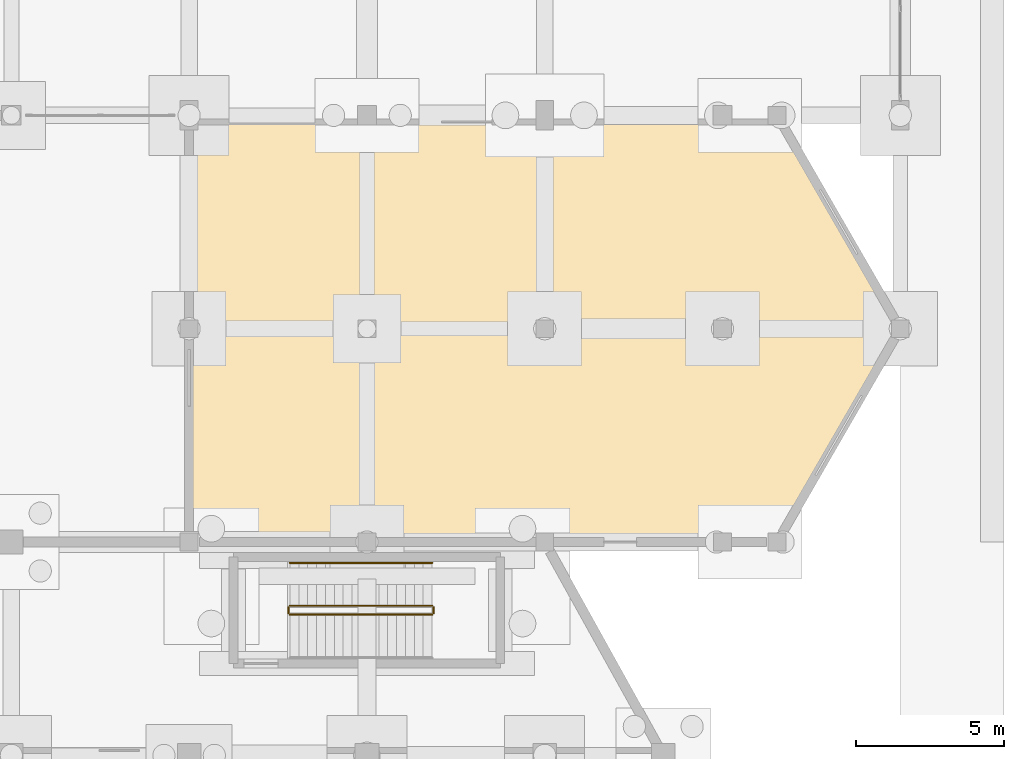
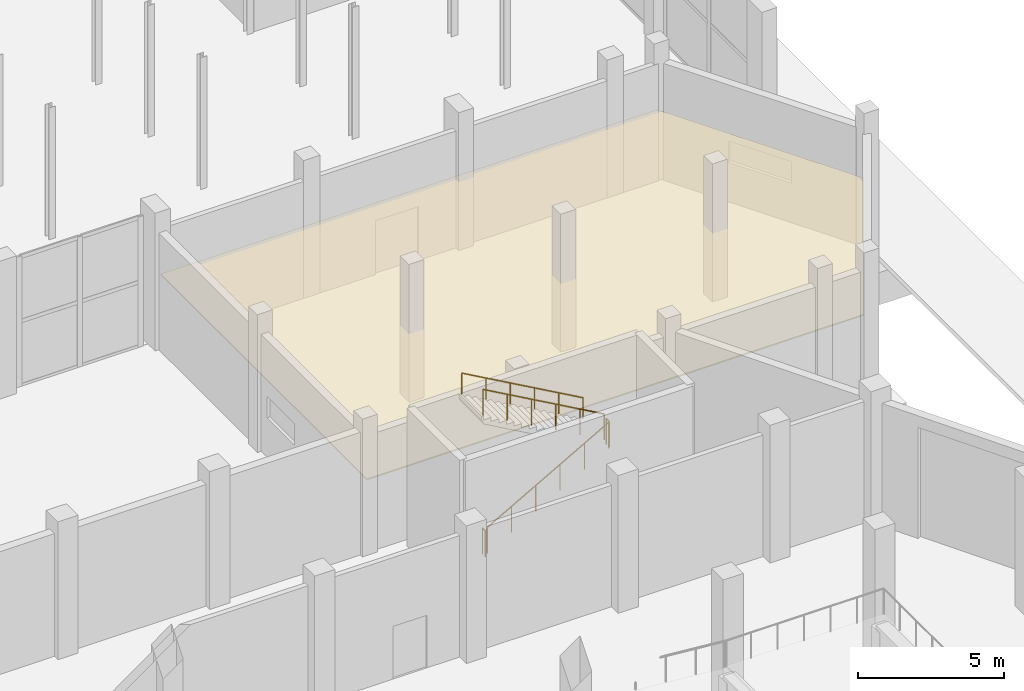
# One storey, part 100 of 103: 5 railings, 1 covering.
"""IFC4 building model written with IfcOpenShell, lengths in metres."""

from ifc_helpers import new_model, si_unit, direction, frame, origin, origin_2d, place, context, subcontext, project, spatial, polyline, circle, outline, extrude, material, layer, layer_set, type_object, element, save


model = new_model("IFC4")

# Units and contexts
model_context = context("Model", 3, precision=1e-05, world=origin(), true_north=direction((0.0, 1.0)))
body_context = subcontext(model_context, "Body", "Model", "MODEL_VIEW")
ifc_project = project(units=[si_unit("LENGTHUNIT", "METRE"), si_unit("AREAUNIT", "SQUARE_METRE"), si_unit("VOLUMEUNIT", "CUBIC_METRE"), si_unit("PLANEANGLEUNIT", "RADIAN"), si_unit("MASSUNIT", "GRAM", prefix="KILO")], contexts=[model_context])

# Site, building, storey
site_placement = place(None, origin())
site = spatial("IfcSite", under=ifc_project, at=site_placement, CompositionType="ELEMENT")
building_placement = place(site_placement, origin())
building = spatial("IfcBuilding", under=site, at=building_placement, Name="Dunvalen Ferry Terminal", CompositionType="ELEMENT")
storey_placement = place(building_placement, origin())
storey = spatial("IfcBuildingStorey", under=building, at=storey_placement, Name="L00", CompositionType="ELEMENT", Elevation=0.0)

# Covering
ifc_material_1 = material(Name="Moisture-resistant mineral-fibre acoustic ceiling", Category="gypsum")
ifc_layer = layer(ifc_material_1, 0.050048828125, Name="Moisture-resistant mineral-fibre acoustic ceiling")
ifc_layer_set = layer_set([ifc_layer], Name="Moisture-resistant mineral-fibre acoustic ceiling")
covering_type = type_object("IfcCoveringType", Name="INT-COV-CLG02", PredefinedType="CEILING", material=ifc_layer_set)
covering_placement = place(storey_placement, frame((0.0, 0.0, 2.800048828125)))
element("IfcCovering", 1, at=covering_placement, inside=storey, type_object=covering_type, Name="L00 Customs Green and Red Inspection Hall Acoustic Suspended Ceiling", PredefinedType="CEILING", context=body_context, shape_type="SweptSolid", body=[
    extrude(outline(polyline([(144.1298828125, 43.330078125), (163.76806640625, 43.330078125), (167.849853515625, 50.39990234375), (163.76806640625, 57.469970703125), (144.1298828125, 57.469970703125), (144.1298828125, 43.330078125)])), origin(), (0.0, 0.0, 1.0), 0.050048828125),
])

# Railings
ifc_material_2 = material(Name="Painted galvanised steel S275", Category="steel")
railing_type_1 = type_object("IfcRailingType", Name="INT-RL-STGRD", PredefinedType="GUARDRAIL", material=ifc_material_2)
railing_1_placement = place(storey_placement, frame((147.39990234375, 40.75, 0.16943359375)))
element("IfcRailing", 2, at=railing_1_placement, inside=storey, type_object=railing_type_1, Name="L00 ST6 stair guard 1", PredefinedType="GUARDRAIL", context=body_context, shape_type="SweptSolid", body=[
    extrude(circle(Radius=0.02392578125, at=origin_2d()), frame((0.0, 0.0, 1.076171875), z_axis=(0.870766506294, 0.0, 0.491696747514), x_axis=(0.0, 1.0, 0.0)), (0.0, 0.0, 1.0), 5.512451171875),
    extrude(circle(Radius=0.02099609375, at=origin_2d()), origin(), (0.0, 0.0, 1.0), 1.052001953125),
    extrude(circle(Radius=0.02099609375, at=origin_2d()), frame((0.9599609375, 0.0, 0.5419921875)), (0.0, 0.0, 1.0), 1.052001953125),
    extrude(circle(Radius=0.02099609375, at=origin_2d()), frame((1.919921875, 0.0, 1.084228515625)), (0.0, 0.0, 1.0), 1.052001953125),
    extrude(circle(Radius=0.02099609375, at=origin_2d()), frame((2.880126953125, 0.0, 1.626220703125)), (0.0, 0.0, 1.0), 1.052001953125),
    extrude(circle(Radius=0.02099609375, at=origin_2d()), frame((3.840087890625, 0.0, 2.16845703125)), (0.0, 0.0, 1.0), 1.052001953125),
    extrude(circle(Radius=0.02099609375, at=origin_2d()), frame((4.800048828125, 0.0, 2.71044921875)), (0.0, 0.0, 1.0), 1.052001953125),
])
railing_2_placement = place(storey_placement, frame((152.25, 40.800048828125, 2.8798828125)))
element("IfcRailing", 3, at=railing_2_placement, inside=storey, type_object=railing_type_1, Name="L00 ST6 stair guard 2", PredefinedType="GUARDRAIL", context=body_context, shape_type="SweptSolid", body=[
    extrude(circle(Radius=0.02392578125, at=origin_2d()), frame((0.0, 0.0, 1.076171875), z_axis=(0.0, 1.0, 0.0), x_axis=(-1.0, 0.0, 0.0)), (0.0, 0.0, 1.0), 0.199951171875),
    extrude(circle(Radius=0.02099609375, at=origin_2d()), origin(), (0.0, 0.0, 1.0), 1.052001953125),
    extrude(circle(Radius=0.02099609375, at=origin_2d()), frame((0.0, 0.199951171875, 0.0)), (0.0, 0.0, 1.0), 1.052001953125),
])
railing_3_placement = place(storey_placement, frame((152.199951171875, 41.050048828125, 3.04931640625)))
element("IfcRailing", 4, at=railing_3_placement, inside=storey, type_object=railing_type_1, Name="L00 ST6 stair guard 3", PredefinedType="GUARDRAIL", context=body_context, shape_type="SweptSolid", body=[
    extrude(circle(Radius=0.02392578125, at=origin_2d()), frame((0.0, 0.0, 1.076171875), z_axis=(-0.870747543578, 0.0, 0.491730327875), x_axis=(0.0, -1.0, 0.0)), (0.0, 0.0, 1.0), 5.512451171875),
    extrude(circle(Radius=0.02099609375, at=origin_2d()), origin(), (0.0, 0.0, 1.0), 1.052001953125),
    extrude(circle(Radius=0.02099609375, at=origin_2d()), frame((-0.9599609375, 0.0, 0.542236328125)), (0.0, 0.0, 1.0), 1.052001953125),
    extrude(circle(Radius=0.02099609375, at=origin_2d()), frame((-1.919921875, 0.0, 1.084228515625)), (0.0, 0.0, 1.0), 1.052001953125),
    extrude(circle(Radius=0.02099609375, at=origin_2d()), frame((-2.880126953125, 0.0, 1.62646484375)), (0.0, 0.0, 1.0), 1.052001953125),
    extrude(circle(Radius=0.02099609375, at=origin_2d()), frame((-3.840087890625, 0.0, 2.16845703125)), (0.0, 0.0, 1.0), 1.052001953125),
    extrude(circle(Radius=0.02099609375, at=origin_2d()), frame((-4.800048828125, 0.0, 2.710693359375)), (0.0, 0.0, 1.0), 1.052001953125),
])
railing_4_placement = place(storey_placement, frame((147.35009765625, 40.800048828125, 0.0)))
element("IfcRailing", 5, at=railing_4_placement, inside=storey, type_object=railing_type_1, Name="L00 ST6 stair guard 4", PredefinedType="GUARDRAIL", context=body_context, shape_type="SweptSolid", body=[
    extrude(circle(Radius=0.02392578125, at=origin_2d()), frame((0.0, 0.0, 1.076171875), z_axis=(0.0, 1.0, 0.0), x_axis=(-1.0, 0.0, 0.0)), (0.0, 0.0, 1.0), 0.199951171875),
    extrude(circle(Radius=0.02099609375, at=origin_2d()), origin(), (0.0, 0.0, 1.0), 1.052001953125),
    extrude(circle(Radius=0.02099609375, at=origin_2d()), frame((0.0, 0.199951171875, 0.0)), (0.0, 0.0, 1.0), 1.052001953125),
])
ifc_material_3 = material(Name="Brushed 316 stainless steel", Category="steel")
railing_type_2 = type_object("IfcRailingType", Name="INT-RL-STHND", PredefinedType="HANDRAIL", material=ifc_material_3)
railing_5_placement = place(storey_placement, frame((152.199951171875, 42.5, 3.04931640625)))
element("IfcRailing", 6, at=railing_5_placement, inside=storey, type_object=railing_type_2, Name="L00 ST6 stair handrail 2", PredefinedType="HANDRAIL", context=body_context, shape_type="SweptSolid", body=[
    extrude(circle(Radius=0.02392578125, at=origin_2d()), frame((0.0, 0.0, 0.8759765625), z_axis=(-0.870747543578, 0.0, 0.491730327875), x_axis=(0.0, -1.0, 0.0)), (0.0, 0.0, 1.0), 5.512451171875),
    extrude(circle(Radius=0.02099609375, at=origin_2d()), origin(), (0.0, 0.0, 1.0), 0.851806640625),
    extrude(circle(Radius=0.02099609375, at=origin_2d()), frame((-0.9599609375, 0.0, 0.542236328125)), (0.0, 0.0, 1.0), 0.851806640625),
    extrude(circle(Radius=0.02099609375, at=origin_2d()), frame((-1.919921875, 0.0, 1.084228515625)), (0.0, 0.0, 1.0), 0.851806640625),
    extrude(circle(Radius=0.02099609375, at=origin_2d()), frame((-2.880126953125, 0.0, 1.62646484375)), (0.0, 0.0, 1.0), 0.851806640625),
    extrude(circle(Radius=0.02099609375, at=origin_2d()), frame((-3.840087890625, 0.0, 2.16845703125)), (0.0, 0.0, 1.0), 0.851806640625),
    extrude(circle(Radius=0.02099609375, at=origin_2d()), frame((-4.800048828125, 0.0, 2.710693359375)), (0.0, 0.0, 1.0), 0.851806640625),
])

save(model, "model.ifc")
